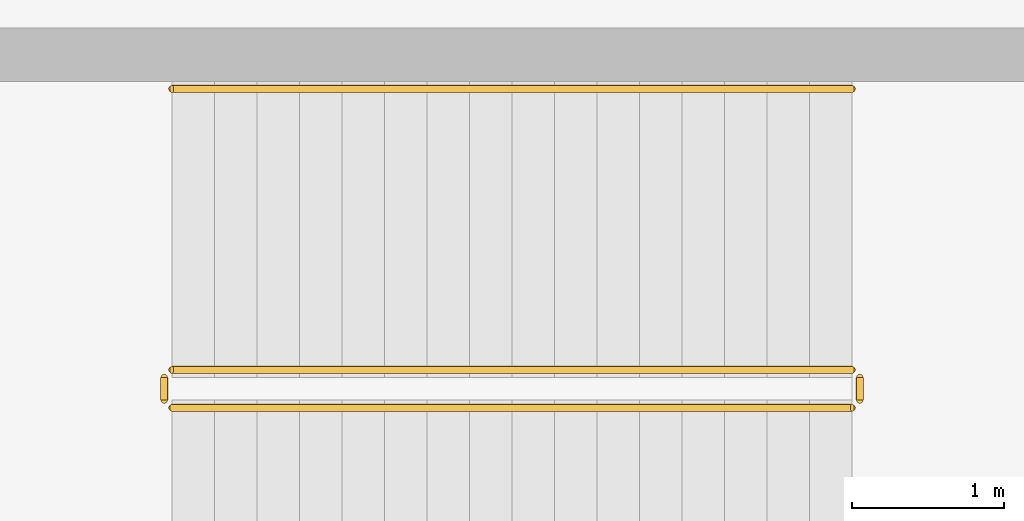
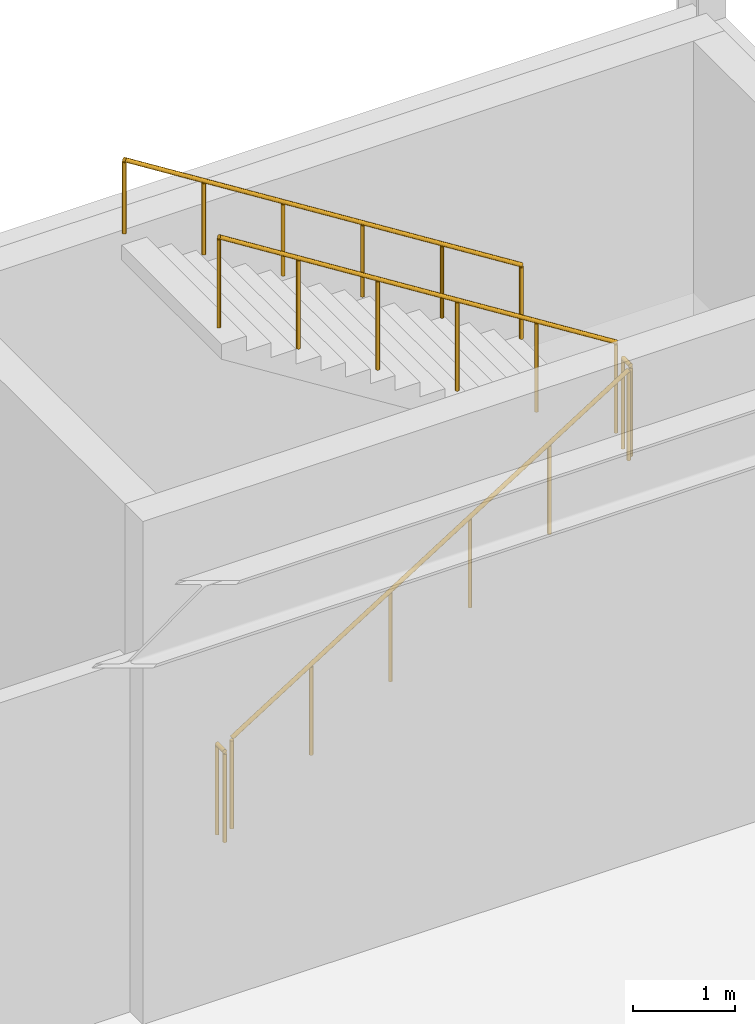
# One storey, part 139 of 146: 5 railings.
"""IFC4 building model written with IfcOpenShell, lengths in metres."""

from ifc_helpers import new_model, si_unit, direction, frame, origin, origin_2d, place, context, subcontext, project, spatial, circle, extrude, material, type_object, element, save


model = new_model("IFC4")

# Units and contexts
model_context = context("Model", 3, precision=1e-05, world=origin(), true_north=direction((0.0, 1.0)))
body_context = subcontext(model_context, "Body", "Model", "MODEL_VIEW")
ifc_project = project(units=[si_unit("LENGTHUNIT", "METRE"), si_unit("AREAUNIT", "SQUARE_METRE"), si_unit("VOLUMEUNIT", "CUBIC_METRE"), si_unit("PLANEANGLEUNIT", "RADIAN"), si_unit("MASSUNIT", "GRAM", prefix="KILO")], contexts=[model_context])

# Site, building, storey
site_placement = place(None, origin())
site = spatial("IfcSite", under=ifc_project, at=site_placement, CompositionType="ELEMENT")
building_placement = place(site_placement, origin())
building = spatial("IfcBuilding", under=site, at=building_placement, Name="Kaldris Quays Convention Centre", CompositionType="ELEMENT")
storey_placement = place(building_placement, origin())
storey = spatial("IfcBuildingStorey", under=building, at=storey_placement, Name="L00", CompositionType="ELEMENT", Elevation=0.0)

# Railings
ifc_material_1 = material(Name="Steel S355J2", Category="steel")
railing_type_1 = type_object("IfcRailingType", Name="INTERIOR GUARDRAIL GR01", PredefinedType="GUARDRAIL", material=ifc_material_1)
railing_1_placement = place(storey_placement, frame((139.0, 137.050048828125, 0.176513671875)))
element("IfcRailing", 1, at=railing_1_placement, inside=storey, type_object=railing_type_1, Name="L00 ST04 Stair Guardrail 1", PredefinedType="GUARDRAIL", context=body_context, shape_type="SweptSolid", body=[
    extrude(circle(Radius=0.02392578125, at=origin_2d()), frame((0.0, 0.0, 1.076171875), z_axis=(0.845997938375, 0.0, 0.533186166611), x_axis=(0.0, 1.0, 0.0)), (0.0, 0.0, 1.0), 5.29541015625),
    extrude(circle(Radius=0.02099609375, at=origin_2d()), origin(), (0.0, 0.0, 1.0), 1.052001953125),
    extrude(circle(Radius=0.02099609375, at=origin_2d()), frame((0.89599609375, 0.0, 0.564697265625)), (0.0, 0.0, 1.0), 1.052001953125),
    extrude(circle(Radius=0.02099609375, at=origin_2d()), frame((1.7919921875, 0.0, 1.12939453125)), (0.0, 0.0, 1.0), 1.052001953125),
    extrude(circle(Radius=0.02099609375, at=origin_2d()), frame((2.68798828125, 0.0, 1.694091796875)), (0.0, 0.0, 1.0), 1.052001953125),
    extrude(circle(Radius=0.02099609375, at=origin_2d()), frame((3.583984375, 0.0, 2.2587890625)), (0.0, 0.0, 1.0), 1.052001953125),
    extrude(circle(Radius=0.02099609375, at=origin_2d()), frame((4.47998046875, 0.0, 2.823486328125)), (0.0, 0.0, 1.0), 1.052001953125),
])
railing_2_placement = place(storey_placement, frame((143.530029296875, 137.10009765625, 3.0)))
element("IfcRailing", 2, at=railing_2_placement, inside=storey, type_object=railing_type_1, Name="L00 ST04 Stair Guardrail 2", PredefinedType="GUARDRAIL", context=body_context, shape_type="SweptSolid", body=[
    extrude(circle(Radius=0.02392578125, at=origin_2d()), frame((0.0, 0.0, 1.076171875), z_axis=(0.0, 1.0, 0.0), x_axis=(-1.0, 0.0, 0.0)), (0.0, 0.0, 1.0), 0.14990234375),
    extrude(circle(Radius=0.02099609375, at=origin_2d()), origin(), (0.0, 0.0, 1.0), 1.052001953125),
    extrude(circle(Radius=0.02099609375, at=origin_2d()), frame((0.0, 0.14990234375, 0.0)), (0.0, 0.0, 1.0), 1.052001953125),
])
railing_3_placement = place(storey_placement, frame((143.47998046875, 137.300048828125, 3.176513671875)))
element("IfcRailing", 3, at=railing_3_placement, inside=storey, type_object=railing_type_1, Name="L00 ST04 Stair Guardrail 3", PredefinedType="GUARDRAIL", context=body_context, shape_type="SweptSolid", body=[
    extrude(circle(Radius=0.02392578125, at=origin_2d()), frame((0.0, 0.0, 1.076171875), z_axis=(-0.845997938375, 0.0, 0.533186166611), x_axis=(0.0, -1.0, 0.0)), (0.0, 0.0, 1.0), 5.29541015625),
    extrude(circle(Radius=0.02099609375, at=origin_2d()), origin(), (0.0, 0.0, 1.0), 1.052001953125),
    extrude(circle(Radius=0.02099609375, at=origin_2d()), frame((-0.89599609375, 0.0, 0.564697265625)), (0.0, 0.0, 1.0), 1.052001953125),
    extrude(circle(Radius=0.02099609375, at=origin_2d()), frame((-1.7919921875, 0.0, 1.12939453125)), (0.0, 0.0, 1.0), 1.052001953125),
    extrude(circle(Radius=0.02099609375, at=origin_2d()), frame((-2.68798828125, 0.0, 1.694091796875)), (0.0, 0.0, 1.0), 1.052001953125),
    extrude(circle(Radius=0.02099609375, at=origin_2d()), frame((-3.583984375, 0.0, 2.2587890625)), (0.0, 0.0, 1.0), 1.052001953125),
    extrude(circle(Radius=0.02099609375, at=origin_2d()), frame((-4.47998046875, 0.0, 2.823486328125)), (0.0, 0.0, 1.0), 1.052001953125),
])
railing_4_placement = place(storey_placement, frame((138.949951171875, 137.10009765625, 0.0)))
element("IfcRailing", 4, at=railing_4_placement, inside=storey, type_object=railing_type_1, Name="L00 ST04 Stair Guardrail 4", PredefinedType="GUARDRAIL", context=body_context, shape_type="SweptSolid", body=[
    extrude(circle(Radius=0.02392578125, at=origin_2d()), frame((0.0, 0.0, 1.076171875), z_axis=(0.0, 1.0, 0.0), x_axis=(-1.0, 0.0, 0.0)), (0.0, 0.0, 1.0), 0.14990234375),
    extrude(circle(Radius=0.02099609375, at=origin_2d()), origin(), (0.0, 0.0, 1.0), 1.052001953125),
    extrude(circle(Radius=0.02099609375, at=origin_2d()), frame((0.0, 0.14990234375, 0.0)), (0.0, 0.0, 1.0), 1.052001953125),
])
ifc_material_2 = material(Name="Stainless steel 1.4301", Category="steel")
railing_type_2 = type_object("IfcRailingType", Name="STAIR HANDRAIL HR01", PredefinedType="HANDRAIL", material=ifc_material_2)
railing_5_placement = place(storey_placement, frame((143.47998046875, 139.14990234375, 3.176513671875)))
element("IfcRailing", 5, at=railing_5_placement, inside=storey, type_object=railing_type_2, Name="L00 ST04 Flight Handrail 2", PredefinedType="HANDRAIL", context=body_context, shape_type="SweptSolid", body=[
    extrude(circle(Radius=0.02392578125, at=origin_2d()), frame((0.0, 0.0, 0.8759765625), z_axis=(-0.845997938375, 0.0, 0.533186166611), x_axis=(0.0, -1.0, 0.0)), (0.0, 0.0, 1.0), 5.29541015625),
    extrude(circle(Radius=0.02099609375, at=origin_2d()), origin(), (0.0, 0.0, 1.0), 0.851806640625),
    extrude(circle(Radius=0.02099609375, at=origin_2d()), frame((-0.89599609375, 0.0, 0.564697265625)), (0.0, 0.0, 1.0), 0.851806640625),
    extrude(circle(Radius=0.02099609375, at=origin_2d()), frame((-1.7919921875, 0.0, 1.12939453125)), (0.0, 0.0, 1.0), 0.851806640625),
    extrude(circle(Radius=0.02099609375, at=origin_2d()), frame((-2.68798828125, 0.0, 1.694091796875)), (0.0, 0.0, 1.0), 0.851806640625),
    extrude(circle(Radius=0.02099609375, at=origin_2d()), frame((-3.583984375, 0.0, 2.2587890625)), (0.0, 0.0, 1.0), 0.851806640625),
    extrude(circle(Radius=0.02099609375, at=origin_2d()), frame((-4.47998046875, 0.0, 2.823486328125)), (0.0, 0.0, 1.0), 0.851806640625),
])

save(model, "model.ifc")
